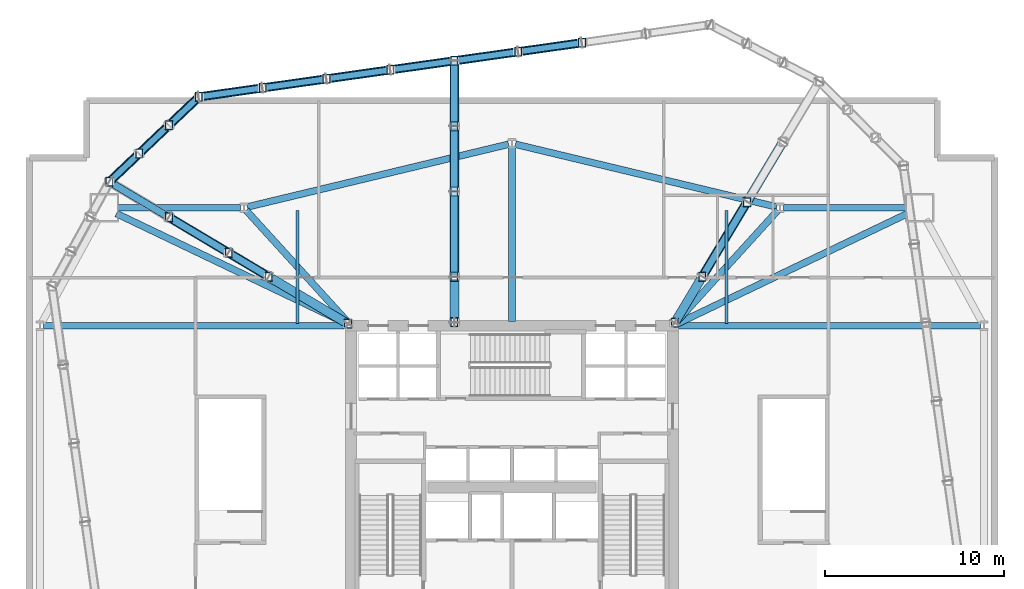
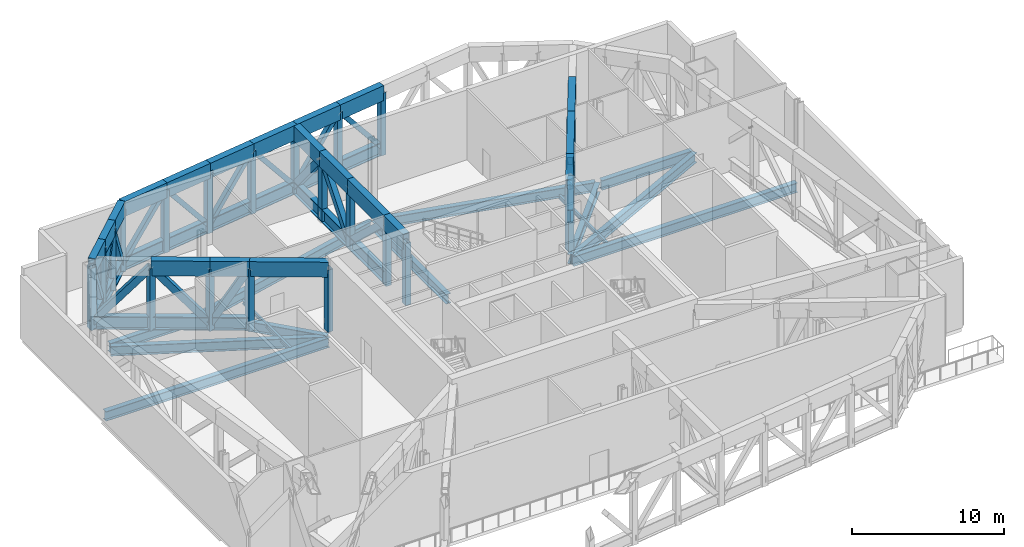
# One storey, part 4 of 15: 72 members, 13 beams.
"""IFC4 building model written with IfcOpenShell, lengths in metres."""

from ifc_helpers import new_model, si_unit, direction, frame, origin, origin_2d, place, context, subcontext, project, spatial, hollow_rectangle, i_section, extrude, material, material_profile, profile_set, type_object, element, save


model = new_model("IFC4")

# Units and contexts
model_context = context("Model", 3, precision=1e-05, world=origin(), true_north=direction((0.0, 1.0)))
body_context = subcontext(model_context, "Body", "Model", "MODEL_VIEW")
ifc_project = project(units=[si_unit("LENGTHUNIT", "METRE"), si_unit("AREAUNIT", "SQUARE_METRE"), si_unit("VOLUMEUNIT", "CUBIC_METRE"), si_unit("PLANEANGLEUNIT", "RADIAN"), si_unit("MASSUNIT", "GRAM", prefix="KILO")], contexts=[model_context])

# Site, building, storey
site_placement = place(None, origin())
site = spatial("IfcSite", under=ifc_project, at=site_placement, CompositionType="ELEMENT")
building_placement = place(site_placement, origin())
building = spatial("IfcBuilding", under=site, at=building_placement, Name="Haldenkirk Collegiate Tower", CompositionType="ELEMENT")
storey_placement = place(building_placement, frame((0.0, 0.0, 22.199951171875)))
storey = spatial("IfcBuildingStorey", under=building, at=storey_placement, Name="L04", CompositionType="ELEMENT", Elevation=22.199951171875)

# Beams
ifc_material_1 = material(Name="Steel ASTM A992 Grade 50", Category="steel")
ifc_material_profile_1 = material_profile(ifc_material_1, i_section(OverallWidth=0.381103515625, OverallDepth=0.77294921875, WebThickness=0.0166015625, FlangeThickness=0.027099609375, at=origin_2d()), Name="W30X173")
ifc_profile_set_1 = profile_set([ifc_material_profile_1], Name="Steel ASTM A992 Grade 50")
beam_type_1 = type_object("IfcBeamType", Name="BM-GIRDER-W30X173", PredefinedType="BEAM", material=ifc_profile_set_1)
beam_1_placement = place(storey_placement, frame((58.050048828125, 40.60009765625, -0.806396484375), z_axis=(-1.0, 0.0, 0.0), x_axis=(0.0, -1.0, 0.0)))
element("IfcBeam", 1, at=beam_1_placement, inside=storey, type_object=beam_type_1, Name="L04 podium ring girder 08", PredefinedType="BEAM", context=body_context, shape_type="SweptSolid", body=[
    extrude(i_section(OverallWidth=0.381103515625, OverallDepth=0.77294921875, WebThickness=0.0166015625, FlangeThickness=0.027099609375, at=origin_2d()), origin(), (0.0, 0.0, 1.0), 6.85009765625),
])
for number, where, z_axis, x_axis, name in (
    (2, (50.805419921875, 40.646728515625, -0.806396484375), (-0.972387449467, 0.233372337946, 0.0), (-0.233372337946, -0.972387449467, 0.0), "L04 podium ring girder 09"),
    (3, (35.805419921875, 44.1533203125, -0.806396484375), (-0.972387449467, -0.233372337946, 0.0), (0.233372337946, -0.972387449467, 0.0), "L04 podium ring girder 10"),
):
    element("IfcBeam", number, at=place(storey_placement, frame(where, z_axis=z_axis, x_axis=x_axis)), inside=storey, type_object=beam_type_1, Name=name, PredefinedType="BEAM", context=body_context, shape_type="SweptSolid", body=[
        extrude(i_section(OverallWidth=0.381103515625, OverallDepth=0.77294921875, WebThickness=0.0166015625, FlangeThickness=0.027099609375, at=origin_2d()), origin(), (0.0, 0.0, 1.0), 15.025634765625),
    ])
beam_2_placement = place(storey_placement, frame((20.800048828125, 40.60009765625, -0.806396484375), z_axis=(-1.0, 0.0, 0.0), x_axis=(0.0, -1.0, 0.0)))
element("IfcBeam", 4, at=beam_2_placement, inside=storey, type_object=beam_type_1, Name="L04 podium ring girder 11", PredefinedType="BEAM", context=body_context, shape_type="SweptSolid", body=[
    extrude(i_section(OverallWidth=0.381103515625, OverallDepth=0.77294921875, WebThickness=0.0166015625, FlangeThickness=0.027099609375, at=origin_2d()), origin(), (0.0, 0.0, 1.0), 6.85009765625),
])
for number, where, z_axis, x_axis, name in (
    (5, (9.800048828125, 34.0, -0.806396484375), (1.0, 0.0, 0.0), (0.0, 1.0, 0.0), "L04 podium radial girder 02"),
    (6, (62.199951171875, 34.0, -0.806396484375), (-1.0, 0.0, 0.0), (0.0, -1.0, 0.0), "L04 podium radial girder 04"),
):
    element("IfcBeam", number, at=place(storey_placement, frame(where, z_axis=z_axis, x_axis=x_axis)), inside=storey, type_object=beam_type_1, Name=name, PredefinedType="BEAM", context=body_context, shape_type="SweptSolid", body=[
        extrude(i_section(OverallWidth=0.381103515625, OverallDepth=0.77294921875, WebThickness=0.0166015625, FlangeThickness=0.027099609375, at=origin_2d()), origin(), (0.0, 0.0, 1.0), 16.949951171875),
    ])
beam_3_placement = place(storey_placement, frame((36.0, 44.0, -0.806396484375), z_axis=(0.0, -1.0, 0.0), x_axis=(1.0, 0.0, 0.0)))
element("IfcBeam", 7, at=beam_3_placement, inside=storey, type_object=beam_type_1, Name="L04 podium radial girder 06", PredefinedType="BEAM", context=body_context, shape_type="SweptSolid", body=[
    extrude(i_section(OverallWidth=0.381103515625, OverallDepth=0.77294921875, WebThickness=0.0166015625, FlangeThickness=0.027099609375, at=origin_2d()), origin(), (0.0, 0.0, 1.0), 9.75),
])
for number, where, z_axis, x_axis, name in (
    (8, (21.134521484375, 40.451904296875, -0.806396484375), (0.672681402593, -0.739932247307, 0.0), (0.739932247307, 0.672681402593, 0.0), "L04 podium radial girder 09"),
    (9, (50.865478515625, 40.451904296875, -0.806396484375), (-0.672681402593, -0.739932247307, 0.0), (0.739932247307, -0.672681402593, 0.0), "L04 podium radial girder 10"),
):
    element("IfcBeam", number, at=place(storey_placement, frame(where, z_axis=z_axis, x_axis=x_axis)), inside=storey, type_object=beam_type_1, Name=name, PredefinedType="BEAM", context=body_context, shape_type="SweptSolid", body=[
        extrude(i_section(OverallWidth=0.381103515625, OverallDepth=0.77294921875, WebThickness=0.0166015625, FlangeThickness=0.027099609375, at=origin_2d()), origin(), (0.0, 0.0, 1.0), 8.469482421875),
    ])
for number, where, z_axis, x_axis, name in (
    (10, (58.123291015625, 40.2763671875, -0.806396484375), (-0.902134510622, -0.431454893058, 0.0), (0.431454893058, -0.902134510622, 0.0), "L04 podium radial girder 13"),
    (11, (13.876708984375, 40.2763671875, -0.806396484375), (0.902134510622, -0.431454893058, 0.0), (0.431454893058, 0.902134510622, 0.0), "L04 podium radial girder 14"),
):
    element("IfcBeam", number, at=place(storey_placement, frame(where, z_axis=z_axis, x_axis=x_axis)), inside=storey, type_object=beam_type_1, Name=name, PredefinedType="BEAM", context=body_context, shape_type="SweptSolid", body=[
        extrude(i_section(OverallWidth=0.381103515625, OverallDepth=0.77294921875, WebThickness=0.0166015625, FlangeThickness=0.027099609375, at=origin_2d()), origin(), (0.0, 0.0, 1.0), 14.296875),
    ])
ifc_material_profile_2 = material_profile(ifc_material_1, i_section(OverallWidth=0.1650390625, OverallDepth=0.31005859375, WebThickness=0.005859375, FlangeThickness=0.009765625, at=origin_2d()), Name="W12X26")
ifc_profile_set_2 = profile_set([ifc_material_profile_2], Name="Steel ASTM A992 Grade 50")
beam_type_2 = type_object("IfcBeamType", Name="BM-JOIST-W12X26", PredefinedType="JOIST", material=ifc_profile_set_2)
for number, where, z_axis, x_axis, name in (
    (12, (24.0, 34.139892578125, -0.574951171875), (0.0, 1.0, 0.0), (-1.0, 0.0, 0.0), "L04 north bay floor joist 1"),
    (13, (48.0, 34.139892578125, -0.574951171875), (0.0, 1.0, 0.0), (-1.0, 0.0, 0.0), "L04 north bay floor joist 2"),
):
    element("IfcBeam", number, at=place(storey_placement, frame(where, z_axis=z_axis, x_axis=x_axis)), inside=storey, type_object=beam_type_2, Name=name, PredefinedType="JOIST", context=body_context, shape_type="SweptSolid", body=[
        extrude(i_section(OverallWidth=0.1650390625, OverallDepth=0.31005859375, WebThickness=0.005859375, FlangeThickness=0.009765625, at=origin_2d()), origin(), (0.0, 0.0, 1.0), 6.320068359375),
    ])

# Members
ifc_material_2 = material(Name="Steel ASTM A572 Grade 50", Category="steel")
ifc_material_profile_3 = material_profile(ifc_material_2, hollow_rectangle(XDim=0.5, YDim=1.199951171875, WallThickness=0.050048828125, at=origin_2d()), Name="BOX1200X500X50")
ifc_profile_set_3 = profile_set([ifc_material_profile_3], Name="Steel ASTM A572 Grade 50")
member_type_1 = type_object("IfcMemberType", Name="MBR-CHORD-BOX1200", PredefinedType="CHORD", material=ifc_profile_set_3)
member_1_placement = place(storey_placement, frame((45.102783203125, 34.171630859375, 4.989990234375), z_axis=(0.513683120409, 0.857979983337, 0.0), x_axis=(-0.857979983337, 0.513683120409, 0.0)))
element("IfcMember", 14, at=member_1_placement, inside=storey, type_object=member_type_1, Name="Podium Transfer Truss Radial 03 top chord 1", PredefinedType="CHORD", context=body_context, shape_type="SweptSolid", body=[
    extrude(hollow_rectangle(XDim=0.5, YDim=1.199951171875, WallThickness=0.050048828125, at=origin_2d()), origin(), (0.0, 0.0, 1.0), 3.005126953125),
])
member_2_placement = place(storey_placement, frame((46.646484375, 36.75, 4.989990234375), z_axis=(0.513705302909, 0.857966702013, 0.0), x_axis=(-0.857966702013, 0.513705302909, 0.0)))
element("IfcMember", 15, at=member_2_placement, inside=storey, type_object=member_type_1, Name="Podium Transfer Truss Radial 03 top chord 2", PredefinedType="CHORD", context=body_context, shape_type="SweptSolid", body=[
    extrude(hollow_rectangle(XDim=0.5, YDim=1.199951171875, WallThickness=0.050048828125, at=origin_2d()), origin(), (0.0, 0.0, 1.0), 4.861328125),
])
member_3_placement = place(storey_placement, frame((49.143798828125, 40.9208984375, 4.989990234375), z_axis=(0.513710507556, 0.857963585723, 0.0), x_axis=(-0.857963585723, 0.513710507556, 0.0)))
element("IfcMember", 16, at=member_3_placement, inside=storey, type_object=member_type_1, Name="Podium Transfer Truss Radial 03 top chord 3", PredefinedType="CHORD", context=body_context, shape_type="SweptSolid", body=[
    extrude(hollow_rectangle(XDim=0.5, YDim=1.199951171875, WallThickness=0.050048828125, at=origin_2d()), origin(), (0.0, 0.0, 1.0), 3.93310546875),
])
member_4_placement = place(storey_placement, frame((26.828125, 34.102294921875, 4.989990234375), z_axis=(-0.859087856622, 0.511828149484, 0.0), x_axis=(-0.511828149484, -0.859087856622, 0.0)))
element("IfcMember", 17, at=member_4_placement, inside=storey, type_object=member_type_1, Name="Podium Transfer Truss Radial 04 top chord 1", PredefinedType="CHORD", context=body_context, shape_type="SweptSolid", body=[
    extrude(hollow_rectangle(XDim=0.5, YDim=1.199951171875, WallThickness=0.050048828125, at=origin_2d()), origin(), (0.0, 0.0, 1.0), 5.173095703125),
])
member_5_placement = place(storey_placement, frame((22.384033203125, 36.75, 4.989990234375), z_axis=(-0.859082185864, 0.511837667558, 0.0), x_axis=(-0.511837667558, -0.859082185864, 0.0)))
element("IfcMember", 18, at=member_5_placement, inside=storey, type_object=member_type_1, Name="Podium Transfer Truss Radial 04 top chord 2", PredefinedType="CHORD", context=body_context, shape_type="SweptSolid", body=[
    extrude(hollow_rectangle(XDim=0.5, YDim=1.199951171875, WallThickness=0.050048828125, at=origin_2d()), origin(), (0.0, 0.0, 1.0), 2.595703125),
])
member_6_placement = place(storey_placement, frame((20.154052734375, 38.07861328125, 4.989990234375), z_axis=(-0.859135645922, 0.511747928092, 0.0), x_axis=(-0.511747928092, -0.859135645922, 0.0)))
element("IfcMember", 19, at=member_6_placement, inside=storey, type_object=member_type_1, Name="Podium Transfer Truss Radial 04 top chord 3", PredefinedType="CHORD", context=body_context, shape_type="SweptSolid", body=[
    extrude(hollow_rectangle(XDim=0.5, YDim=1.199951171875, WallThickness=0.050048828125, at=origin_2d()), origin(), (0.0, 0.0, 1.0), 3.88427734375),
])
member_7_placement = place(storey_placement, frame((32.772216796875, 34.199951171875, 4.989990234375), z_axis=(0.0, 1.0, 0.0), x_axis=(-1.0, 0.0, 0.0)))
element("IfcMember", 20, at=member_7_placement, inside=storey, type_object=member_type_1, Name="Podium Transfer Truss Radial 07 top chord 1", PredefinedType="CHORD", context=body_context, shape_type="SweptSolid", body=[
    extrude(hollow_rectangle(XDim=0.5, YDim=1.199951171875, WallThickness=0.050048828125, at=origin_2d()), origin(), (0.0, 0.0, 1.0), 2.550048828125),
])
member_8_placement = place(storey_placement, frame((32.772216796875, 36.75, 4.989990234375), z_axis=(0.0, 1.0, 0.0), x_axis=(-1.0, 0.0, 0.0)))
element("IfcMember", 21, at=member_8_placement, inside=storey, type_object=member_type_1, Name="Podium Transfer Truss Radial 07 top chord 2", PredefinedType="CHORD", context=body_context, shape_type="SweptSolid", body=[
    extrude(hollow_rectangle(XDim=0.5, YDim=1.199951171875, WallThickness=0.050048828125, at=origin_2d()), origin(), (0.0, 0.0, 1.0), 4.761474609375),
])
for number, where, z_axis, x_axis, name in (
    (22, (32.772216796875, 41.511474609375, 4.989990234375), (0.0, 1.0, 0.0), (-1.0, 0.0, 0.0), "Podium Transfer Truss Radial 07 top chord 3"),
    (23, (32.772216796875, 45.167236328125, 4.989990234375), (0.0, 1.0, 0.0), (-1.0, 0.0, 0.0), "Podium Transfer Truss Radial 07 top chord 4"),
):
    element("IfcMember", number, at=place(storey_placement, frame(where, z_axis=z_axis, x_axis=x_axis)), inside=storey, type_object=member_type_1, Name=name, PredefinedType="CHORD", context=body_context, shape_type="SweptSolid", body=[
        extrude(hollow_rectangle(XDim=0.5, YDim=1.199951171875, WallThickness=0.050048828125, at=origin_2d()), origin(), (0.0, 0.0, 1.0), 3.65576171875),
    ])
member_9_placement = place(storey_placement, frame((39.9189453125, 49.83349609375, 4.989990234375), z_axis=(-0.990155448328, -0.139972097745, 0.0), x_axis=(0.139972097745, -0.990155448328, 0.0)))
element("IfcMember", 24, at=member_9_placement, inside=storey, type_object=member_type_1, Name="Podium Transfer Truss Belt 10 top chord 3", PredefinedType="CHORD", context=body_context, shape_type="SweptSolid", body=[
    extrude(hollow_rectangle(XDim=0.5, YDim=1.199951171875, WallThickness=0.050048828125, at=origin_2d()), origin(), (0.0, 0.0, 1.0), 3.60888671875),
])
for number, where, z_axis, x_axis, name in (
    (25, (36.345703125, 49.328369140625, 4.989990234375), (-0.99014739658, -0.140029043583, 0.0), (0.140029043583, -0.99014739658, 0.0), "Podium Transfer Truss Belt 10 top chord 4"),
    (26, (32.772216796875, 48.822998046875, 4.989990234375), (-0.990138015248, -0.140095363092, 0.0), (0.140095363092, -0.990138015248, 0.0), "Podium Transfer Truss Belt 11 top chord 1"),
    (27, (29.19873046875, 48.3173828125, 4.989990234375), (-0.99014739658, -0.140029043583, 0.0), (0.140029043583, -0.99014739658, 0.0), "Podium Transfer Truss Belt 11 top chord 2"),
    (28, (25.625244140625, 47.81201171875, 4.989990234375), (-0.99014739658, -0.140029043583, 0.0), (0.140029043583, -0.99014739658, 0.0), "Podium Transfer Truss Belt 11 top chord 3"),
):
    element("IfcMember", number, at=place(storey_placement, frame(where, z_axis=z_axis, x_axis=x_axis)), inside=storey, type_object=member_type_1, Name=name, PredefinedType="CHORD", context=body_context, shape_type="SweptSolid", body=[
        extrude(hollow_rectangle(XDim=0.5, YDim=1.199951171875, WallThickness=0.050048828125, at=origin_2d()), origin(), (0.0, 0.0, 1.0), 3.609130859375),
    ])
member_10_placement = place(storey_placement, frame((22.0517578125, 47.306640625, 4.989990234375), z_axis=(-0.990146070017, -0.140038423404, 0.0), x_axis=(0.140038423404, -0.990146070017, 0.0)))
element("IfcMember", 29, at=member_10_placement, inside=storey, type_object=member_type_1, Name="Podium Transfer Truss Belt 11 top chord 4", PredefinedType="CHORD", context=body_context, shape_type="SweptSolid", body=[
    extrude(hollow_rectangle(XDim=0.5, YDim=1.199951171875, WallThickness=0.050048828125, at=origin_2d()), origin(), (0.0, 0.0, 1.0), 3.60888671875),
])
for number, where, z_axis, x_axis, name in (
    (30, (18.478515625, 46.80126953125, 4.989990234375), (-0.725145316902, -0.688595867962, 0.0), (0.688595867962, -0.725145316902, 0.0), "Podium Transfer Truss Belt 12 top chord 1"),
    (31, (16.812255859375, 45.218994140625, 4.989990234375), (-0.725145316902, -0.688595867962, 0.0), (0.688595867962, -0.725145316902, 0.0), "Podium Transfer Truss Belt 12 top chord 2"),
):
    element("IfcMember", number, at=place(storey_placement, frame(where, z_axis=z_axis, x_axis=x_axis)), inside=storey, type_object=member_type_1, Name=name, PredefinedType="CHORD", context=body_context, shape_type="SweptSolid", body=[
        extrude(hollow_rectangle(XDim=0.5, YDim=1.199951171875, WallThickness=0.050048828125, at=origin_2d()), origin(), (0.0, 0.0, 1.0), 2.2978515625),
    ])
member_11_placement = place(storey_placement, frame((15.14599609375, 43.63671875, 4.989990234375), z_axis=(-0.725094931885, -0.688648923439, 0.0), x_axis=(0.688648923439, -0.725094931885, 0.0)))
element("IfcMember", 32, at=member_11_placement, inside=storey, type_object=member_type_1, Name="Podium Transfer Truss Belt 12 top chord 3", PredefinedType="CHORD", context=body_context, shape_type="SweptSolid", body=[
    extrude(hollow_rectangle(XDim=0.5, YDim=1.199951171875, WallThickness=0.050048828125, at=origin_2d()), origin(), (0.0, 0.0, 1.0), 2.297607421875),
])
ifc_material_3 = material(Name="Steel ASTM A913 Grade 65", Category="steel")
ifc_material_profile_4 = material_profile(ifc_material_3, i_section(OverallWidth=0.4189453125, OverallDepth=1.041015625, WebThickness=0.031005859375, FlangeThickness=0.055908203125, at=origin_2d()), Name="W40X397")
ifc_profile_set_4 = profile_set([ifc_material_profile_4], Name="Steel ASTM A913 Grade 65")
member_type_2 = type_object("IfcMemberType", Name="MBR-CHORD-W40X397", PredefinedType="CHORD", material=ifc_profile_set_4)
member_12_placement = place(storey_placement, frame((46.646484375, 36.75, 0.550048828125), z_axis=(0.513705302909, 0.857966702013, 0.0), x_axis=(-0.857966702013, 0.513705302909, 0.0)))
element("IfcMember", 33, at=member_12_placement, inside=storey, type_object=member_type_2, Name="Podium Transfer Truss Radial 03 bottom chord 2", PredefinedType="CHORD", context=body_context, shape_type="SweptSolid", body=[
    extrude(i_section(OverallWidth=0.4189453125, OverallDepth=1.041015625, WebThickness=0.031005859375, FlangeThickness=0.055908203125, at=origin_2d()), origin(), (0.0, 0.0, 1.0), 4.861328125),
])
member_13_placement = place(storey_placement, frame((22.384033203125, 36.75, 0.550048828125), z_axis=(-0.859082185864, 0.511837667558, 0.0), x_axis=(-0.511837667558, -0.859082185864, 0.0)))
element("IfcMember", 34, at=member_13_placement, inside=storey, type_object=member_type_2, Name="Podium Transfer Truss Radial 04 bottom chord 2", PredefinedType="CHORD", context=body_context, shape_type="SweptSolid", body=[
    extrude(i_section(OverallWidth=0.4189453125, OverallDepth=1.041015625, WebThickness=0.031005859375, FlangeThickness=0.055908203125, at=origin_2d()), origin(), (0.0, 0.0, 1.0), 2.595703125),
])
for number, where, z_axis, x_axis, name in (
    (35, (20.154052734375, 38.07861328125, 0.550048828125), (-0.859135645922, 0.511747928092, 0.0), (-0.511747928092, -0.859135645922, 0.0), "Podium Transfer Truss Radial 04 bottom chord 3"),
    (36, (16.81689453125, 40.06640625, 0.550048828125), (-0.85909154755, 0.511821954324, 0.0), (-0.511821954324, -0.85909154755, 0.0), "Podium Transfer Truss Radial 04 bottom chord 4"),
):
    element("IfcMember", number, at=place(storey_placement, frame(where, z_axis=z_axis, x_axis=x_axis)), inside=storey, type_object=member_type_2, Name=name, PredefinedType="CHORD", context=body_context, shape_type="SweptSolid", body=[
        extrude(i_section(OverallWidth=0.4189453125, OverallDepth=1.041015625, WebThickness=0.031005859375, FlangeThickness=0.055908203125, at=origin_2d()), origin(), (0.0, 0.0, 1.0), 3.88427734375),
    ])
member_14_placement = place(storey_placement, frame((32.772216796875, 36.75, 0.550048828125), z_axis=(0.0, 1.0, 0.0), x_axis=(-1.0, 0.0, 0.0)))
element("IfcMember", 37, at=member_14_placement, inside=storey, type_object=member_type_2, Name="Podium Transfer Truss Radial 07 bottom chord 2", PredefinedType="CHORD", context=body_context, shape_type="SweptSolid", body=[
    extrude(i_section(OverallWidth=0.4189453125, OverallDepth=1.041015625, WebThickness=0.031005859375, FlangeThickness=0.055908203125, at=origin_2d()), origin(), (0.0, 0.0, 1.0), 4.761474609375),
])
for number, where, z_axis, x_axis, name in (
    (38, (32.772216796875, 41.511474609375, 0.550048828125), (0.0, 1.0, 0.0), (-1.0, 0.0, 0.0), "Podium Transfer Truss Radial 07 bottom chord 3"),
    (39, (32.772216796875, 45.167236328125, 0.550048828125), (0.0, 1.0, 0.0), (-1.0, 0.0, 0.0), "Podium Transfer Truss Radial 07 bottom chord 4"),
):
    element("IfcMember", number, at=place(storey_placement, frame(where, z_axis=z_axis, x_axis=x_axis)), inside=storey, type_object=member_type_2, Name=name, PredefinedType="CHORD", context=body_context, shape_type="SweptSolid", body=[
        extrude(i_section(OverallWidth=0.4189453125, OverallDepth=1.041015625, WebThickness=0.031005859375, FlangeThickness=0.055908203125, at=origin_2d()), origin(), (0.0, 0.0, 1.0), 3.65576171875),
    ])
member_15_placement = place(storey_placement, frame((39.9189453125, 49.83349609375, 0.550048828125), z_axis=(-0.990155448328, -0.139972097745, 0.0), x_axis=(0.139972097745, -0.990155448328, 0.0)))
element("IfcMember", 40, at=member_15_placement, inside=storey, type_object=member_type_2, Name="Podium Transfer Truss Belt 10 bottom chord 3", PredefinedType="CHORD", context=body_context, shape_type="SweptSolid", body=[
    extrude(i_section(OverallWidth=0.4189453125, OverallDepth=1.041015625, WebThickness=0.031005859375, FlangeThickness=0.055908203125, at=origin_2d()), origin(), (0.0, 0.0, 1.0), 3.60888671875),
])
for number, where, z_axis, x_axis, name in (
    (41, (36.345703125, 49.328369140625, 0.550048828125), (-0.99014739658, -0.140029043583, 0.0), (0.140029043583, -0.99014739658, 0.0), "Podium Transfer Truss Belt 10 bottom chord 4"),
    (42, (32.772216796875, 48.822998046875, 0.550048828125), (-0.990138015248, -0.140095363092, 0.0), (0.140095363092, -0.990138015248, 0.0), "Podium Transfer Truss Belt 11 bottom chord 1"),
    (43, (29.19873046875, 48.3173828125, 0.550048828125), (-0.99014739658, -0.140029043583, 0.0), (0.140029043583, -0.99014739658, 0.0), "Podium Transfer Truss Belt 11 bottom chord 2"),
    (44, (25.625244140625, 47.81201171875, 0.550048828125), (-0.99014739658, -0.140029043583, 0.0), (0.140029043583, -0.99014739658, 0.0), "Podium Transfer Truss Belt 11 bottom chord 3"),
):
    element("IfcMember", number, at=place(storey_placement, frame(where, z_axis=z_axis, x_axis=x_axis)), inside=storey, type_object=member_type_2, Name=name, PredefinedType="CHORD", context=body_context, shape_type="SweptSolid", body=[
        extrude(i_section(OverallWidth=0.4189453125, OverallDepth=1.041015625, WebThickness=0.031005859375, FlangeThickness=0.055908203125, at=origin_2d()), origin(), (0.0, 0.0, 1.0), 3.609130859375),
    ])
member_16_placement = place(storey_placement, frame((22.0517578125, 47.306640625, 0.550048828125), z_axis=(-0.990146070017, -0.140038423404, 0.0), x_axis=(0.140038423404, -0.990146070017, 0.0)))
element("IfcMember", 45, at=member_16_placement, inside=storey, type_object=member_type_2, Name="Podium Transfer Truss Belt 11 bottom chord 4", PredefinedType="CHORD", context=body_context, shape_type="SweptSolid", body=[
    extrude(i_section(OverallWidth=0.4189453125, OverallDepth=1.041015625, WebThickness=0.031005859375, FlangeThickness=0.055908203125, at=origin_2d()), origin(), (0.0, 0.0, 1.0), 3.60888671875),
])
for number, where, z_axis, x_axis, name in (
    (46, (18.478515625, 46.80126953125, 0.550048828125), (-0.725145316902, -0.688595867962, 0.0), (0.688595867962, -0.725145316902, 0.0), "Podium Transfer Truss Belt 12 bottom chord 1"),
    (47, (16.812255859375, 45.218994140625, 0.550048828125), (-0.725145316902, -0.688595867962, 0.0), (0.688595867962, -0.725145316902, 0.0), "Podium Transfer Truss Belt 12 bottom chord 2"),
):
    element("IfcMember", number, at=place(storey_placement, frame(where, z_axis=z_axis, x_axis=x_axis)), inside=storey, type_object=member_type_2, Name=name, PredefinedType="CHORD", context=body_context, shape_type="SweptSolid", body=[
        extrude(i_section(OverallWidth=0.4189453125, OverallDepth=1.041015625, WebThickness=0.031005859375, FlangeThickness=0.055908203125, at=origin_2d()), origin(), (0.0, 0.0, 1.0), 2.2978515625),
    ])
member_17_placement = place(storey_placement, frame((15.14599609375, 43.63671875, 0.550048828125), z_axis=(-0.725094931885, -0.688648923439, 0.0), x_axis=(0.688648923439, -0.725094931885, 0.0)))
element("IfcMember", 48, at=member_17_placement, inside=storey, type_object=member_type_2, Name="Podium Transfer Truss Belt 12 bottom chord 3", PredefinedType="CHORD", context=body_context, shape_type="SweptSolid", body=[
    extrude(i_section(OverallWidth=0.4189453125, OverallDepth=1.041015625, WebThickness=0.031005859375, FlangeThickness=0.055908203125, at=origin_2d()), origin(), (0.0, 0.0, 1.0), 2.297607421875),
])
ifc_material_profile_5 = material_profile(ifc_material_2, hollow_rectangle(XDim=0.35009765625, YDim=0.35009765625, WallThickness=0.01611328125, at=origin_2d()), Name="HSS350X350X16")
ifc_profile_set_5 = profile_set([ifc_material_profile_5], Name="Steel ASTM A572 Grade 50")
member_type_3 = type_object("IfcMemberType", Name="MBR-TRUSSDIAG-HSS350X350X16", PredefinedType="BRACE", material=ifc_profile_set_5)
for number, where, z_axis, x_axis, name in (
    (49, (39.9189453125, 49.83349609375, 0.550048828125), (-0.624521947792, -0.088284771111, 0.776001376233), (0.139972097745, -0.990155448328, 0.0), "Podium Transfer Truss Belt 10 web diagonal 3"),
    (50, (36.345703125, 49.328369140625, 4.989990234375), (-0.624545621245, -0.088324754798, -0.775977773312), (0.140029043583, -0.99014739658, 0.0), "Podium Transfer Truss Belt 10 web diagonal 4"),
    (51, (32.772216796875, 48.822998046875, 0.550048828125), (-0.624543266949, -0.08836709065, 0.775974848174), (0.140095363092, -0.990138015248, 0.0), "Podium Transfer Truss Belt 11 web diagonal 1"),
    (52, (29.19873046875, 48.3173828125, 4.989990234375), (-0.624545621245, -0.088324754798, -0.775977773312), (0.140029043583, -0.99014739658, 0.0), "Podium Transfer Truss Belt 11 web diagonal 2"),
    (53, (25.625244140625, 47.81201171875, 0.550048828125), (-0.624545621245, -0.088324754798, 0.775977773312), (0.140029043583, -0.99014739658, 0.0), "Podium Transfer Truss Belt 11 web diagonal 3"),
    (54, (22.0517578125, 47.306640625, 4.989990234375), (-0.624519594579, -0.088327108553, -0.775998452242), (0.140038423404, -0.990146070017, 0.0), "Podium Transfer Truss Belt 11 web diagonal 4"),
):
    element("IfcMember", number, at=place(storey_placement, frame(where, z_axis=z_axis, x_axis=x_axis)), inside=storey, type_object=member_type_3, Name=name, PredefinedType="BRACE", context=body_context, shape_type="SweptSolid", body=[
        extrude(hollow_rectangle(XDim=0.35009765625, YDim=0.35009765625, WallThickness=0.01611328125, at=origin_2d()), origin(), (0.0, 0.0, 1.0), 5.7216796875),
    ])
for number, where, z_axis, x_axis, name in (
    (55, (18.478515625, 46.80126953125, 0.550048828125), (-0.333297973358, -0.316498778804, 0.888110907472), (0.688595867962, -0.725145316902, 0.0), "Podium Transfer Truss Belt 12 web diagonal 1"),
    (56, (16.812255859375, 45.218994140625, 4.989990234375), (-0.333297973358, -0.316498778804, -0.888110907472), (0.688595867962, -0.725145316902, 0.0), "Podium Transfer Truss Belt 12 web diagonal 2"),
    (57, (15.14599609375, 43.63671875, 0.550048828125), (-0.333254562376, -0.316503930064, 0.888125362159), (0.688648923439, -0.725094931885, 0.0), "Podium Transfer Truss Belt 12 web diagonal 3"),
):
    element("IfcMember", number, at=place(storey_placement, frame(where, z_axis=z_axis, x_axis=x_axis)), inside=storey, type_object=member_type_3, Name=name, PredefinedType="BRACE", context=body_context, shape_type="SweptSolid", body=[
        extrude(hollow_rectangle(XDim=0.35009765625, YDim=0.35009765625, WallThickness=0.01611328125, at=origin_2d()), origin(), (0.0, 0.0, 1.0), 4.999267578125),
    ])
ifc_material_profile_6 = material_profile(ifc_material_2, hollow_rectangle(XDim=0.39990234375, YDim=0.5, WallThickness=0.02490234375, at=origin_2d()), Name="HSS500X400X25")
ifc_profile_set_6 = profile_set([ifc_material_profile_6], Name="Steel ASTM A572 Grade 50")
member_type_4 = type_object("IfcMemberType", Name="MBR-TRUSSDIAG-HSS500X400X25", PredefinedType="BRACE", material=ifc_profile_set_6)
member_18_placement = place(storey_placement, frame((46.646484375, 36.75, 4.989990234375), z_axis=(0.379313633016, 0.633511986161, -0.674376550007), x_axis=(-0.857966702013, 0.513705302909, 0.0)))
element("IfcMember", 58, at=member_18_placement, inside=storey, type_object=member_type_4, Name="Podium Transfer Truss Radial 03 web diagonal 2", PredefinedType="BRACE", context=body_context, shape_type="SweptSolid", body=[
    extrude(hollow_rectangle(XDim=0.39990234375, YDim=0.5, WallThickness=0.02490234375, at=origin_2d()), origin(), (0.0, 0.0, 1.0), 6.583740234375),
])
member_19_placement = place(storey_placement, frame((22.384033203125, 36.75, 4.989990234375), z_axis=(-0.433589885509, 0.258331087907, -0.863287240844), x_axis=(-0.511837667558, -0.859082185864, 0.0)))
element("IfcMember", 59, at=member_19_placement, inside=storey, type_object=member_type_4, Name="Podium Transfer Truss Radial 04 web diagonal 2", PredefinedType="BRACE", context=body_context, shape_type="SweptSolid", body=[
    extrude(hollow_rectangle(XDim=0.39990234375, YDim=0.5, WallThickness=0.02490234375, at=origin_2d()), origin(), (0.0, 0.0, 1.0), 5.14306640625),
])
for number, where, z_axis, x_axis, name in (
    (60, (20.154052734375, 38.07861328125, 0.550048828125), (-0.565692961272, 0.336957501696, 0.752629467678), (-0.511747928092, -0.859135645922, 0.0), "Podium Transfer Truss Radial 04 web diagonal 3"),
    (61, (16.81689453125, 40.06640625, 4.989990234375), (-0.565656929871, 0.337002076378, -0.752636591062), (-0.511821954324, -0.85909154755, 0.0), "Podium Transfer Truss Radial 04 web diagonal 4"),
):
    element("IfcMember", number, at=place(storey_placement, frame(where, z_axis=z_axis, x_axis=x_axis)), inside=storey, type_object=member_type_4, Name=name, PredefinedType="BRACE", context=body_context, shape_type="SweptSolid", body=[
        extrude(hollow_rectangle(XDim=0.39990234375, YDim=0.5, WallThickness=0.02490234375, at=origin_2d()), origin(), (0.0, 0.0, 1.0), 5.899169921875),
    ])
member_20_placement = place(storey_placement, frame((32.772216796875, 36.75, 4.989990234375), z_axis=(0.0, 0.731369445471, -0.681981476457), x_axis=(-1.0, 0.0, 0.0)))
element("IfcMember", 62, at=member_20_placement, inside=storey, type_object=member_type_4, Name="Podium Transfer Truss Radial 07 web diagonal 2", PredefinedType="BRACE", context=body_context, shape_type="SweptSolid", body=[
    extrude(hollow_rectangle(XDim=0.39990234375, YDim=0.5, WallThickness=0.02490234375, at=origin_2d()), origin(), (0.0, 0.0, 1.0), 6.51025390625),
])
for number, where, z_axis, x_axis, name in (
    (63, (32.772216796875, 41.511474609375, 0.550048828125), (0.0, 0.635638806015, 0.771986598516), (-1.0, 0.0, 0.0), "Podium Transfer Truss Radial 07 web diagonal 3"),
    (64, (32.772216796875, 45.167236328125, 4.989990234375), (0.0, 0.635638806015, -0.771986598516), (-1.0, 0.0, 0.0), "Podium Transfer Truss Radial 07 web diagonal 4"),
):
    element("IfcMember", number, at=place(storey_placement, frame(where, z_axis=z_axis, x_axis=x_axis)), inside=storey, type_object=member_type_4, Name=name, PredefinedType="BRACE", context=body_context, shape_type="SweptSolid", body=[
        extrude(hollow_rectangle(XDim=0.39990234375, YDim=0.5, WallThickness=0.02490234375, at=origin_2d()), origin(), (0.0, 0.0, 1.0), 5.751220703125),
    ])
ifc_material_profile_7 = material_profile(ifc_material_2, hollow_rectangle(XDim=0.39990234375, YDim=0.5, WallThickness=0.02490234375, at=origin_2d()), Name="HSS500X400X25")
ifc_profile_set_7 = profile_set([ifc_material_profile_7], Name="Steel ASTM A572 Grade 50")
member_type_5 = type_object("IfcMemberType", Name="MBR-TRUSSPOST-HSS500X400X25", PredefinedType="POST", material=ifc_profile_set_7)
for number, where, z_axis, x_axis, name in (
    (65, (45.102783203125, 34.171630859375, 0.0), (0.0, 0.0, 1.0), (1.0, 0.0, 0.0), "Podium Transfer Truss Radial 03 vertical post 1"),
    (66, (46.646484375, 36.75, 0.0), (0.0, 0.0, 1.0), (1.0, 0.0, 0.0), "Podium Transfer Truss Radial 03 vertical post 2"),
    (67, (49.143798828125, 40.9208984375, 0.0), (0.0, 0.0, 1.0), (1.0, 0.0, 0.0), "Podium Transfer Truss Radial 03 vertical post 3"),
    (68, (26.828125, 34.102294921875, 0.0), (0.0, 0.0, 1.0), (1.0, 0.0, 0.0), "Podium Transfer Truss Radial 04 vertical post 1"),
    (69, (22.384033203125, 36.75, 0.0), (0.0, 0.0, 1.0), (1.0, 0.0, 0.0), "Podium Transfer Truss Radial 04 vertical post 2"),
    (70, (20.154052734375, 38.07861328125, 0.0), (0.0, 0.0, 1.0), (1.0, 0.0, 0.0), "Podium Transfer Truss Radial 04 vertical post 3"),
    (71, (16.81689453125, 40.06640625, 0.0), (0.0, 0.0, 1.0), (1.0, 0.0, 0.0), "Podium Transfer Truss Radial 04 vertical post 4"),
    (72, (13.47998046875, 42.054443359375, 0.0), (0.0, 0.0, 1.0), (1.0, 0.0, 0.0), "Podium Transfer Truss Radial 04 vertical post 5"),
    (73, (32.772216796875, 34.199951171875, 0.0), (0.0, 0.0, 1.0), (1.0, 0.0, 0.0), "Podium Transfer Truss Radial 07 vertical post 1"),
    (74, (32.772216796875, 36.75, 0.0), (0.0, 0.0, 1.0), (1.0, 0.0, 0.0), "Podium Transfer Truss Radial 07 vertical post 2"),
    (75, (32.772216796875, 41.511474609375, 0.0), (0.0, 0.0, 1.0), (1.0, 0.0, 0.0), "Podium Transfer Truss Radial 07 vertical post 3"),
    (76, (32.772216796875, 45.167236328125, 0.0), (0.0, 0.0, 1.0), (1.0, 0.0, 0.0), "Podium Transfer Truss Radial 07 vertical post 4"),
    (77, (32.772216796875, 48.822998046875, 0.0), (0.0, 0.0, 1.0), (1.0, 0.0, 0.0), "Podium Transfer Truss Radial 07 vertical post 5"),
    (78, (39.9189453125, 49.83349609375, 0.0), (0.0, 0.0, 1.0), (1.0, 0.0, 0.0), "Podium Transfer Truss Belt 10 vertical post 3"),
    (79, (36.345703125, 49.328369140625, 0.0), (0.0, 0.0, 1.0), (1.0, 0.0, 0.0), "Podium Transfer Truss Belt 10 vertical post 4"),
    (80, (29.19873046875, 48.3173828125, 0.0), (0.0, 0.0, 1.0), (1.0, 0.0, 0.0), "Podium Transfer Truss Belt 11 vertical post 2"),
    (81, (25.625244140625, 47.81201171875, 0.0), (0.0, 0.0, 1.0), (1.0, 0.0, 0.0), "Podium Transfer Truss Belt 11 vertical post 3"),
    (82, (22.0517578125, 47.306640625, 0.0), (0.0, 0.0, 1.0), (1.0, 0.0, 0.0), "Podium Transfer Truss Belt 11 vertical post 4"),
    (83, (18.478515625, 46.80126953125, 0.0), (0.0, 0.0, 1.0), (1.0, 0.0, 0.0), "Podium Transfer Truss Belt 11 vertical post 5"),
    (84, (16.812255859375, 45.218994140625, 0.0), (0.0, 0.0, 1.0), (1.0, 0.0, 0.0), "Podium Transfer Truss Belt 12 vertical post 2"),
    (85, (15.14599609375, 43.63671875, 0.0), (0.0, 0.0, 1.0), (1.0, 0.0, 0.0), "Podium Transfer Truss Belt 12 vertical post 3"),
):
    element("IfcMember", number, at=place(storey_placement, frame(where, z_axis=z_axis, x_axis=x_axis)), inside=storey, type_object=member_type_5, Name=name, PredefinedType="POST", context=body_context, shape_type="SweptSolid", body=[
        extrude(hollow_rectangle(XDim=0.39990234375, YDim=0.5, WallThickness=0.02490234375, at=origin_2d()), origin(), (0.0, 0.0, 1.0), 4.989990234375),
    ])

save(model, "model.ifc")
